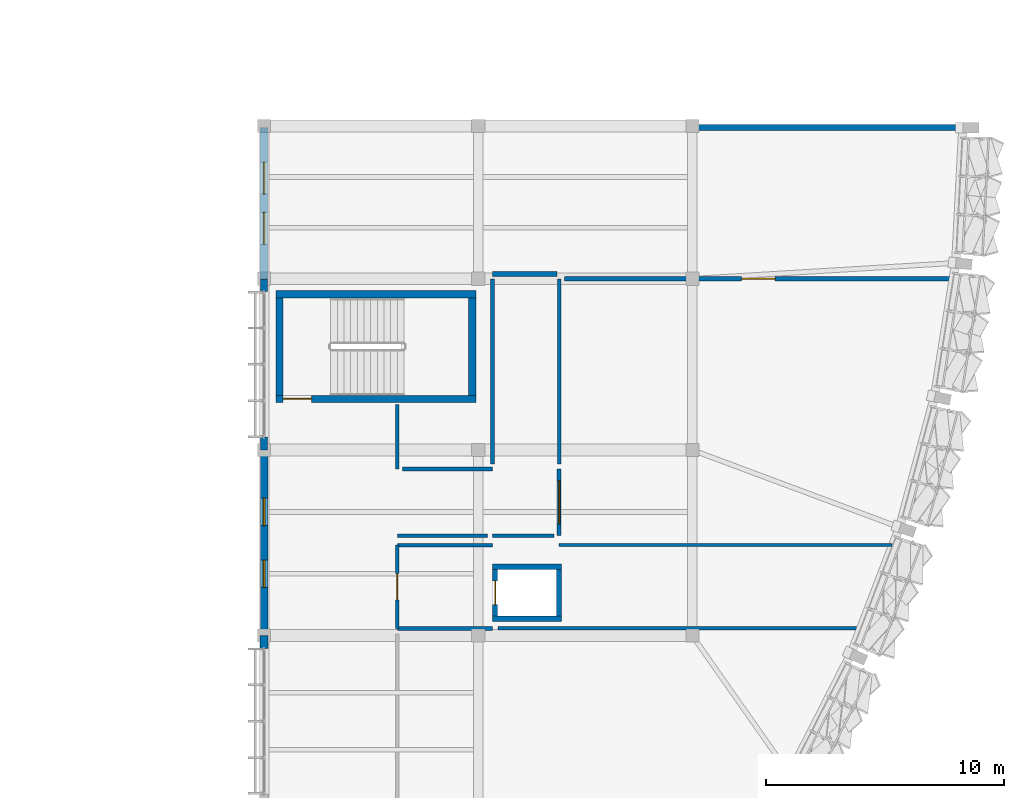
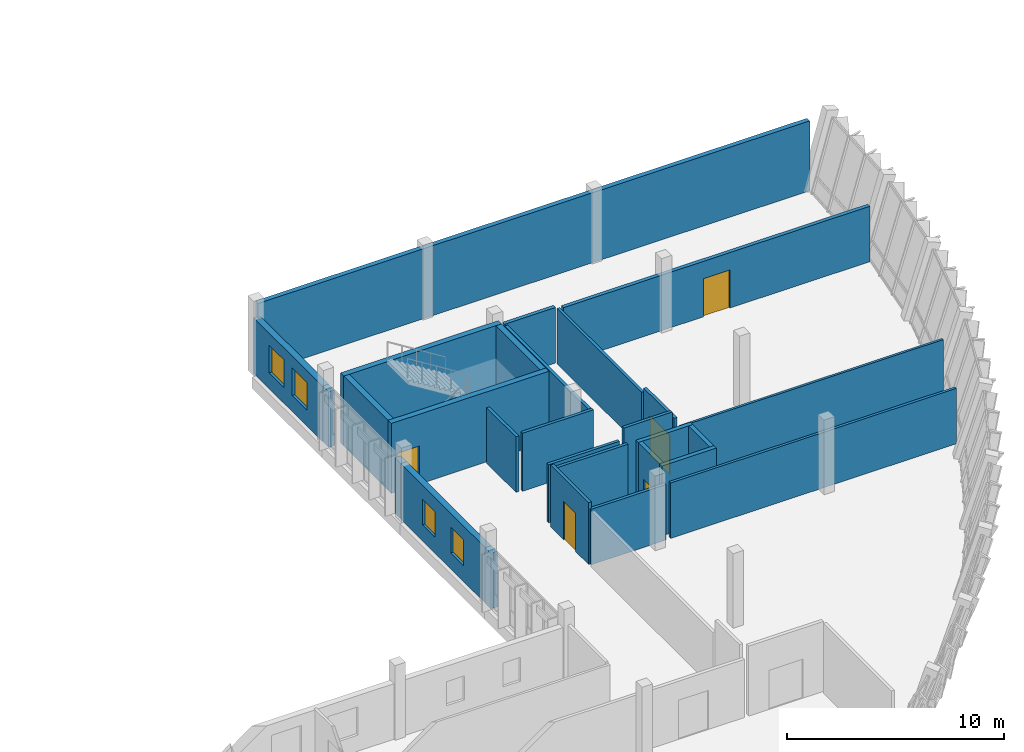
# One storey, part 88 of 94: 28 walls, 5 doors, 4 windows, 9 openings.
"""IFC4 building model written with IfcOpenShell, lengths in metres."""

from ifc_helpers import new_model, si_unit, direction, frame, frame_2d, origin, place, context, subcontext, project, spatial, rectangle, extrude, material, layer, layer_set, type_object, element, fill, save


model = new_model("IFC4")

# Units and contexts
model_context = context("Model", 3, precision=1e-05, world=origin(), true_north=direction((0.0, 1.0)))
body_context = subcontext(model_context, "Body", "Model", "MODEL_VIEW")
ifc_project = project(units=[si_unit("LENGTHUNIT", "METRE"), si_unit("AREAUNIT", "SQUARE_METRE"), si_unit("VOLUMEUNIT", "CUBIC_METRE"), si_unit("PLANEANGLEUNIT", "RADIAN"), si_unit("MASSUNIT", "GRAM", prefix="KILO")], contexts=[model_context])

# Site, building, storey
site_placement = place(None, origin())
site = spatial("IfcSite", under=ifc_project, at=site_placement, CompositionType="ELEMENT")
building_placement = place(site_placement, origin())
building = spatial("IfcBuilding", under=site, at=building_placement, Name="Chiffa Square Polytechnic", CompositionType="ELEMENT")
storey_placement = place(building_placement, frame((0.0, 0.0, 18.0)))
storey = spatial("IfcBuildingStorey", under=building, at=storey_placement, Name="L04", CompositionType="ELEMENT", Elevation=18.0)

# Wall, opening, door
ifc_material_1 = material(Name="Concrete C40/50", Category="concrete")
ifc_layer_1 = layer(ifc_material_1, 0.300048828125, Name="Concrete C40/50")
ifc_layer_set_1 = layer_set([ifc_layer_1], Name="Concrete C40/50")
wall_type_1 = type_object("IfcWallType", Name="WL-CORE-300", PredefinedType="SHEAR", material=ifc_layer_set_1)
wall_1_placement = place(storey_placement, frame((148.699951171875, 45.949951171875, 0.0), z_axis=(0.0, 0.0, 1.0), x_axis=(1.0, 0.0, 0.0)))
wall_1 = element("IfcWall", 1, at=wall_1_placement, inside=storey, type_object=wall_type_1, Name="Core or enclosure wall WC-CORE-V1B-L04-SOUTH", PredefinedType="SHEAR", context=body_context, shape_type="SweptSolid", body=[
    extrude(rectangle(XDim=8.400146484375, YDim=0.300048828125, at=frame_2d((4.2001953125, 0.0))), origin(), (0.0, 0.0, 1.0), 3.93994140625),
])
opening_1_placement = place(wall_1_placement, frame((0.300048828125, 0.0, 0.0)))
opening_1 = element("IfcOpeningElement", 2, at=opening_1_placement, cuts=wall_1, Name="Opening DS-L04-014", PredefinedType="OPENING", context=body_context, shape_type="SweptSolid", body=[
    extrude(rectangle(XDim=1.199951171875, YDim=2.14990234375, at=frame_2d((0.60009765625, 1.074951171875))), frame((0.0, 0.16015625, 0.0), z_axis=(0.0, -1.0, 0.0), x_axis=(1.0, 0.0, 0.0)), (0.0, 0.0, 1.0), 0.320068359375),
])
ifc_material_2 = material(Name="Fire-rated painted steel leaf", Category="steel")
door_type_1 = type_object("IfcDoorType", Name="DR-STAIR-1200", OperationType="NOTDEFINED", PredefinedType="DOOR", material=ifc_material_2)
door_1_placement = place(opening_1_placement, origin())
door_1 = element("IfcDoor", 3, at=door_1_placement, inside=storey, type_object=door_type_1, Name="Enclosure door DS-L04-014", OperationType="SINGLE_SWING_RIGHT", OverallHeight=2.14990234375, OverallWidth=1.199951171875, PredefinedType="DOOR", context=body_context, shape_type="SweptSolid", body=[
    extrude(rectangle(XDim=1.199951171875, YDim=2.14990234375, at=frame_2d((0.60009765625, 1.074951171875))), frame((0.0, 0.02490234375, 0.0), z_axis=(0.0, -1.0, 0.0), x_axis=(1.0, 0.0, 0.0)), (0.0, 0.0, 1.0), 0.050048828125),
])
fill(opening_1, door_1)

# Walls
wall_2_placement = place(storey_placement, frame((148.699951171875, 50.35009765625, 0.0), z_axis=(0.0, 0.0, 1.0), x_axis=(1.0, 0.0, 0.0)))
element("IfcWall", 4, at=wall_2_placement, inside=storey, type_object=wall_type_1, Name="Core or enclosure wall WC-CORE-V1B-L04-NORTH", PredefinedType="SHEAR", context=body_context, shape_type="SweptSolid", body=[
    extrude(rectangle(XDim=8.400146484375, YDim=0.300048828125, at=frame_2d((4.2001953125, 0.0))), origin(), (0.0, 0.0, 1.0), 3.93994140625),
])
for number, where, z_axis, x_axis, name in (
    (5, (148.85009765625, 46.10009765625, 0.0), (0.0, 0.0, 1.0), (0.0, 1.0, 0.0), "Core or enclosure wall WC-CORE-V1B-L04-WEST"),
    (6, (156.949951171875, 46.10009765625, 0.0), (0.0, 0.0, 1.0), (0.0, 1.0, 0.0), "Core or enclosure wall WC-CORE-V1B-L04-EAST"),
):
    element("IfcWall", number, at=place(storey_placement, frame(where, z_axis=z_axis, x_axis=x_axis)), inside=storey, type_object=wall_type_1, Name=name, PredefinedType="SHEAR", context=body_context, shape_type="SweptSolid", body=[
        extrude(rectangle(XDim=4.099853515625, YDim=0.300048828125, at=frame_2d((2.0498046875, 0.0))), origin(), (0.0, 0.0, 1.0), 3.93994140625),
    ])
ifc_material_3 = material(Name="Precast concrete C40/50", Category="concrete")
ifc_layer_2 = layer(ifc_material_3, 0.300048828125, Name="Precast concrete C40/50")
ifc_layer_set_2 = layer_set([ifc_layer_2], Name="Precast concrete C40/50")
wall_type_2 = type_object("IfcWallType", Name="WL-EXT-PC300", PredefinedType="SOLIDWALL", material=ifc_layer_set_2)
for number, where, z_axis, x_axis, name in (
    (7, (148.199951171875, 51.0, 0.0), (0.0, 0.0, 1.0), (0.0, -1.0, 0.0), "Facade column pier V1-L04-0061L"),
    (8, (148.199951171875, 44.340087890625, 0.0), (0.0, 0.0, 1.0), (0.0, -1.0, 0.0), "Facade column pier V1-L04-0061R"),
):
    element("IfcWall", number, at=place(storey_placement, frame(where, z_axis=z_axis, x_axis=x_axis)), inside=storey, type_object=wall_type_2, Name=name, PredefinedType="SOLIDWALL", context=body_context, shape_type="SweptSolid", body=[
        extrude(rectangle(XDim=0.5400390625, YDim=0.300048828125, at=frame_2d((0.27001953125, 0.0))), origin(), (0.0, 0.0, 1.0), 3.125),
    ])

# Wall, openings, windows
ifc_layer_3 = layer(ifc_material_3, 0.320068359375, Name="Precast concrete C40/50")
ifc_layer_set_3 = layer_set([ifc_layer_3], Name="Precast concrete C40/50")
wall_type_3 = type_object("IfcWallType", Name="WL-EXT-PC320", PredefinedType="SOLIDWALL", material=ifc_layer_set_3)
wall_3_placement = place(storey_placement, frame((148.199951171875, 43.800048828125, 0.0), z_axis=(0.0, 0.0, 1.0), x_axis=(0.0, -1.0, 0.0)))
wall_3 = element("IfcWall", 9, at=wall_3_placement, inside=storey, type_object=wall_type_3, Name="Exterior wall WE-V1-L04-0062", PredefinedType="SOLIDWALL", context=body_context, shape_type="SweptSolid", body=[
    extrude(rectangle(XDim=7.800048828125, YDim=0.320068359375, at=frame_2d((3.89990234375, 0.0))), origin(), (0.0, 0.0, 1.0), 3.125),
])
opening_2_placement = place(wall_3_placement, frame((2.02490234375, 0.0, 0.89990234375)))
opening_2 = element("IfcOpeningElement", 10, at=opening_2_placement, cuts=wall_3, Name="Opening W-19", PredefinedType="OPENING", context=body_context, shape_type="SweptSolid", body=[
    extrude(rectangle(XDim=1.14990234375, YDim=1.449951171875, at=frame_2d((0.574951171875, 0.72509765625))), frame((0.0, 0.169921875, 0.0), z_axis=(0.0, -1.0, 0.0), x_axis=(1.0, 0.0, 0.0)), (0.0, 0.0, 1.0), 0.340087890625),
])
opening_3_placement = place(wall_3_placement, frame((4.625, 0.0, 0.89990234375)))
opening_3 = element("IfcOpeningElement", 11, at=opening_3_placement, cuts=wall_3, Name="Opening W-19", PredefinedType="OPENING", context=body_context, shape_type="SweptSolid", body=[
    extrude(rectangle(XDim=1.14990234375, YDim=1.449951171875, at=frame_2d((0.574951171875, 0.72509765625))), frame((0.0, 0.169921875, 0.0), z_axis=(0.0, -1.0, 0.0), x_axis=(1.0, 0.0, 0.0)), (0.0, 0.0, 1.0), 0.340087890625),
])
ifc_material_4 = material(Name="Double glazing in thermally broken aluminium frame", Category="aluminium")
window_type_1 = type_object("IfcWindowType", Name="WIN-OFF-1150X1450", PartitioningType="DOUBLE_PANEL_VERTICAL", PredefinedType="WINDOW", material=ifc_material_4)
window_1_placement = place(opening_2_placement, origin())
window_1 = element("IfcWindow", 12, at=window_1_placement, inside=storey, type_object=window_type_1, Name="Facade window WN-L04-0060", OverallHeight=1.449951171875, OverallWidth=1.14990234375, PartitioningType="DOUBLE_PANEL_VERTICAL", PredefinedType="WINDOW", context=body_context, shape_type="SweptSolid", body=[
    extrude(rectangle(XDim=1.14990234375, YDim=1.449951171875, at=frame_2d((0.574951171875, 0.72509765625))), frame((0.0, 0.030029296875, 0.0), z_axis=(0.0, -1.0, 0.0), x_axis=(1.0, 0.0, 0.0)), (0.0, 0.0, 1.0), 0.06005859375),
])
fill(opening_2, window_1)
window_2_placement = place(opening_3_placement, origin())
window_2 = element("IfcWindow", 13, at=window_2_placement, inside=storey, type_object=window_type_1, Name="Facade window WN-L04-0061", OverallHeight=1.449951171875, OverallWidth=1.14990234375, PartitioningType="DOUBLE_PANEL_VERTICAL", PredefinedType="WINDOW", context=body_context, shape_type="SweptSolid", body=[
    extrude(rectangle(XDim=1.14990234375, YDim=1.449951171875, at=frame_2d((0.574951171875, 0.72509765625))), frame((0.0, 0.030029296875, 0.0), z_axis=(0.0, -1.0, 0.0), x_axis=(1.0, 0.0, 0.0)), (0.0, 0.0, 1.0), 0.06005859375),
])
fill(opening_3, window_2)

ifc_layer_4 = layer(ifc_material_3, 0.340087890625, Name="Precast concrete C40/50")
ifc_layer_set_4 = layer_set([ifc_layer_4], Name="Precast concrete C40/50")
wall_type_4 = type_object("IfcWallType", Name="WL-EXT-PC340", PredefinedType="SOLIDWALL", material=ifc_layer_set_4)
wall_4_placement = place(storey_placement, frame((148.199951171875, 57.35009765625, 0.0), z_axis=(0.0, 0.0, 1.0), x_axis=(0.0, -1.0, 0.0)))
wall_4 = element("IfcWall", 14, at=wall_4_placement, inside=storey, type_object=wall_type_4, Name="Exterior wall WE-V1-L04-0060", PredefinedType="SOLIDWALL", context=body_context, shape_type="SweptSolid", body=[
    extrude(rectangle(XDim=6.35009765625, YDim=0.340087890625, at=frame_2d((3.175048828125, 0.0))), origin(), (0.0, 0.0, 1.0), 3.125),
])
opening_4_placement = place(wall_4_placement, frame((1.44189453125, 0.0, 0.89990234375)))
opening_4 = element("IfcOpeningElement", 15, at=opening_4_placement, cuts=wall_4, Name="Opening W-17", PredefinedType="OPENING", context=body_context, shape_type="SweptSolid", body=[
    extrude(rectangle(XDim=1.35009765625, YDim=1.550048828125, at=frame_2d((0.675048828125, 0.77490234375))), frame((0.0, 0.18017578125, 0.0), z_axis=(0.0, -1.0, 0.0), x_axis=(1.0, 0.0, 0.0)), (0.0, 0.0, 1.0), 0.360107421875),
])
opening_5_placement = place(wall_4_placement, frame((3.55810546875, 0.0, 0.89990234375)))
opening_5 = element("IfcOpeningElement", 16, at=opening_5_placement, cuts=wall_4, Name="Opening W-17", PredefinedType="OPENING", context=body_context, shape_type="SweptSolid", body=[
    extrude(rectangle(XDim=1.35009765625, YDim=1.550048828125, at=frame_2d((0.675048828125, 0.77490234375))), frame((0.0, 0.18017578125, 0.0), z_axis=(0.0, -1.0, 0.0), x_axis=(1.0, 0.0, 0.0)), (0.0, 0.0, 1.0), 0.360107421875),
])
window_type_2 = type_object("IfcWindowType", Name="WIN-OFF-1350X1550", PartitioningType="DOUBLE_PANEL_VERTICAL", PredefinedType="WINDOW", material=ifc_material_4)
window_3_placement = place(opening_4_placement, origin())
window_3 = element("IfcWindow", 17, at=window_3_placement, inside=storey, type_object=window_type_2, Name="Facade window WN-L04-0058", OverallHeight=1.550048828125, OverallWidth=1.35009765625, PartitioningType="DOUBLE_PANEL_VERTICAL", PredefinedType="WINDOW", context=body_context, shape_type="SweptSolid", body=[
    extrude(rectangle(XDim=1.35009765625, YDim=1.550048828125, at=frame_2d((0.675048828125, 0.77490234375))), frame((0.0, 0.030029296875, 0.0), z_axis=(0.0, -1.0, 0.0), x_axis=(1.0, 0.0, 0.0)), (0.0, 0.0, 1.0), 0.06005859375),
])
fill(opening_4, window_3)
window_4_placement = place(opening_5_placement, origin())
window_4 = element("IfcWindow", 18, at=window_4_placement, inside=storey, type_object=window_type_2, Name="Facade window WN-L04-0059", OverallHeight=1.550048828125, OverallWidth=1.35009765625, PartitioningType="DOUBLE_PANEL_VERTICAL", PredefinedType="WINDOW", context=body_context, shape_type="SweptSolid", body=[
    extrude(rectangle(XDim=1.35009765625, YDim=1.550048828125, at=frame_2d((0.675048828125, 0.77490234375))), frame((0.0, 0.030029296875, 0.0), z_axis=(0.0, -1.0, 0.0), x_axis=(1.0, 0.0, 0.0)), (0.0, 0.0, 1.0), 0.06005859375),
])
fill(opening_5, window_4)

# Walls
wall_5_placement = place(storey_placement, frame((148.199951171875, 36.0, 0.0), z_axis=(0.0, 0.0, 1.0), x_axis=(0.0, -1.0, 0.0)))
element("IfcWall", 19, at=wall_5_placement, inside=storey, type_object=wall_type_4, Name="Facade column pier V1-L04-0063L", PredefinedType="SOLIDWALL", context=body_context, shape_type="SweptSolid", body=[
    extrude(rectangle(XDim=0.5400390625, YDim=0.340087890625, at=frame_2d((0.27001953125, 0.0))), origin(), (0.0, 0.0, 1.0), 3.125),
])
ifc_material_5 = material(Name="Gypsum board on steel stud", Category="steel")
ifc_layer_5 = layer(ifc_material_5, 0.125, Name="Gypsum board on steel stud")
ifc_layer_set_5 = layer_set([ifc_layer_5], Name="Gypsum board on steel stud")
wall_type_5 = type_object("IfcWallType", Name="WL-PART-125", PredefinedType="PARTITIONING", material=ifc_layer_set_5)
wall_6_placement = place(storey_placement, frame((160.60009765625, 39.800048828125, 0.0), z_axis=(0.0, 0.0, 1.0), x_axis=(1.0, 0.0, 0.0)))
element("IfcWall", 20, at=wall_6_placement, inside=storey, type_object=wall_type_5, Name="Interior partition WP-V1-L04-0632", PredefinedType="PARTITIONING", context=body_context, shape_type="SweptSolid", body=[
    extrude(rectangle(XDim=13.995849609375, YDim=0.125, at=frame_2d((6.998046875, 0.0))), origin(), (0.0, 0.0, 1.0), 3.27490234375),
])
ifc_layer_6 = layer(ifc_material_5, 0.14501953125, Name="Gypsum board on steel stud")
ifc_layer_set_6 = layer_set([ifc_layer_6], Name="Gypsum board on steel stud")
wall_type_6 = type_object("IfcWallType", Name="WL-PART-145", PredefinedType="PARTITIONING", material=ifc_layer_set_6)
wall_7_placement = place(storey_placement, frame((160.60009765625, 43.219970703125, 0.0), z_axis=(0.0, 0.0, 1.0), x_axis=(0.0, 1.0, 0.0)))
element("IfcWall", 21, at=wall_7_placement, inside=storey, type_object=wall_type_6, Name="Interior partition WP-V1-L04-0630", PredefinedType="PARTITIONING", context=body_context, shape_type="SweptSolid", body=[
    extrude(rectangle(XDim=7.780029296875, YDim=0.14501953125, at=frame_2d((3.89013671875, 0.0))), origin(), (0.0, 0.0, 1.0), 3.125),
])
wall_8_placement = place(storey_placement, frame((158.0400390625, 36.300048828125, 0.0), z_axis=(0.0, 0.0, 1.0), x_axis=(1.0, 0.0, 0.0)))
element("IfcWall", 22, at=wall_8_placement, inside=storey, type_object=wall_type_6, Name="Interior partition WP-V1-L04-0642", PredefinedType="PARTITIONING", context=body_context, shape_type="SweptSolid", body=[
    extrude(rectangle(XDim=15.222900390625, YDim=0.14501953125, at=frame_2d((7.611328125, 0.0))), origin(), (0.0, 0.0, 1.0), 3.125),
])

# Wall, opening, door
ifc_material_6 = material(Name="Autoclaved aerated concrete blockwork", Category="masonry")
ifc_layer_7 = layer(ifc_material_6, 0.199951171875, Name="Autoclaved aerated concrete blockwork")
ifc_layer_set_7 = layer_set([ifc_layer_7], Name="Autoclaved aerated concrete blockwork")
wall_type_7 = type_object("IfcWallType", Name="WL-PART-EI120-200", PredefinedType="PARTITIONING", material=ifc_layer_set_7)
wall_9_placement = place(storey_placement, frame((160.820068359375, 51.0, 0.0), z_axis=(0.0, 0.0, 1.0), x_axis=(1.0, 0.0, 0.0)))
wall_9 = element("IfcWall", 23, at=wall_9_placement, inside=storey, type_object=wall_type_7, Name="Interior partition WP-V1-L04-0631", PredefinedType="PARTITIONING", context=body_context, shape_type="SweptSolid", body=[
    extrude(rectangle(XDim=16.31591796875, YDim=0.199951171875, at=frame_2d((8.157958984375, 0.0))), origin(), (0.0, 0.0, 1.0), 3.125),
])
opening_6_placement = place(wall_9_placement, frame((7.4580078125, 0.0, 0.0)))
opening_6 = element("IfcOpeningElement", 24, at=opening_6_placement, cuts=wall_9, Name="Opening DI-L04-225", PredefinedType="OPENING", context=body_context, shape_type="SweptSolid", body=[
    extrude(rectangle(XDim=1.39990234375, YDim=2.14990234375, at=frame_2d((0.699951171875, 1.074951171875))), frame((0.0, 0.10986328125, 0.0), z_axis=(0.0, -1.0, 0.0), x_axis=(1.0, 0.0, 0.0)), (0.0, 0.0, 1.0), 0.219970703125),
])
ifc_material_7 = material(Name="Louvred painted steel plant door", Category="steel")
door_type_2 = type_object("IfcDoorType", Name="DR-PLANT-1400", OperationType="DOUBLE_DOOR_SINGLE_SWING", PredefinedType="DOOR", material=ifc_material_7)
door_2_placement = place(opening_6_placement, origin())
door_2 = element("IfcDoor", 25, at=door_2_placement, inside=storey, type_object=door_type_2, Name="Interior room door DI-L04-225", OperationType="DOUBLE_DOOR_SINGLE_SWING", OverallHeight=2.14990234375, OverallWidth=1.39990234375, PredefinedType="DOOR", context=body_context, shape_type="SweptSolid", body=[
    extrude(rectangle(XDim=1.39990234375, YDim=2.14990234375, at=frame_2d((0.699951171875, 1.074951171875))), frame((0.0, 0.02490234375, 0.0), z_axis=(0.0, -1.0, 0.0), x_axis=(1.0, 0.0, 0.0)), (0.0, 0.0, 1.0), 0.050048828125),
])
fill(opening_6, door_2)

# Walls
wall_10_placement = place(storey_placement, frame((157.800048828125, 51.199951171875, 0.0), z_axis=(0.0, 0.0, 1.0), x_axis=(1.0, 0.0, 0.0)))
element("IfcWall", 26, at=wall_10_placement, inside=storey, type_object=wall_type_7, Name="Interior partition WP-V1-L04-0633", PredefinedType="PARTITIONING", context=body_context, shape_type="SweptSolid", body=[
    extrude(rectangle(XDim=2.708984375, YDim=0.199951171875, at=frame_2d((1.3544921875, 0.0))), origin(), (0.0, 0.0, 1.0), 3.125),
])
ifc_material_8 = material(Name="Gypsum board on acoustic steel stud", Category="steel")
ifc_layer_8 = layer(ifc_material_8, 0.159912109375, Name="Gypsum board on acoustic steel stud")
ifc_layer_set_8 = layer_set([ifc_layer_8], Name="Gypsum board on acoustic steel stud")
wall_type_8 = type_object("IfcWallType", Name="WL-PART-EI60-160", PredefinedType="PARTITIONING", material=ifc_layer_set_8)
wall_11_placement = place(storey_placement, frame((153.800048828125, 36.300048828125, 0.0), z_axis=(0.0, 0.0, 1.0), x_axis=(1.0, 0.0, 0.0)))
element("IfcWall", 27, at=wall_11_placement, inside=storey, type_object=wall_type_8, Name="Lift lobby rated enclosure WP-LOB-LP-V1B-L04-SOUTH", PredefinedType="PARTITIONING", context=body_context, shape_type="SweptSolid", body=[
    extrude(rectangle(XDim=4.0, YDim=0.159912109375, at=frame_2d((2.0, 0.0))), origin(), (0.0, 0.0, 1.0), 3.125),
])
wall_12_placement = place(storey_placement, frame((153.800048828125, 39.800048828125, 0.0), z_axis=(0.0, 0.0, 1.0), x_axis=(1.0, 0.0, 0.0)))
element("IfcWall", 28, at=wall_12_placement, inside=storey, type_object=wall_type_8, Name="Lift lobby rated enclosure WP-LOB-LP-V1B-L04-NORTH", PredefinedType="PARTITIONING", context=body_context, shape_type="SweptSolid", body=[
    extrude(rectangle(XDim=4.0, YDim=0.159912109375, at=frame_2d((2.0, 0.0))), origin(), (0.0, 0.0, 1.0), 3.27490234375),
])

# Wall, opening, door
wall_13_placement = place(storey_placement, frame((153.800048828125, 36.300048828125, 0.0), z_axis=(0.0, 0.0, 1.0), x_axis=(0.0, 1.0, 0.0)))
wall_13 = element("IfcWall", 29, at=wall_13_placement, inside=storey, type_object=wall_type_8, Name="Lift lobby rated enclosure WP-LOB-LP-V1B-L04-WEST", PredefinedType="PARTITIONING", context=body_context, shape_type="SweptSolid", body=[
    extrude(rectangle(XDim=3.5, YDim=0.159912109375, at=frame_2d((1.75, 0.0))), origin(), (0.0, 0.0, 1.0), 3.485107421875),
])
opening_7_placement = place(wall_13_placement, frame((1.199951171875, 0.0, 0.0)))
opening_7 = element("IfcOpeningElement", 30, at=opening_7_placement, cuts=wall_13, Name="Opening DI-L04-022", PredefinedType="OPENING", context=body_context, shape_type="SweptSolid", body=[
    extrude(rectangle(XDim=1.10009765625, YDim=2.14990234375, at=frame_2d((0.550048828125, 1.074951171875))), frame((0.0, 0.08984375, 0.0), z_axis=(0.0, -1.0, 0.0), x_axis=(1.0, 0.0, 0.0)), (0.0, 0.0, 1.0), 0.179931640625),
])
ifc_material_9 = material(Name="Solid core ash veneer door")
door_type_3 = type_object("IfcDoorType", Name="DR-INT-1100", OperationType="NOTDEFINED", PredefinedType="DOOR", material=ifc_material_9)
door_3_placement = place(opening_7_placement, origin())
door_3 = element("IfcDoor", 31, at=door_3_placement, inside=storey, type_object=door_type_3, Name="Lift lobby fire door DI-L04-022", OperationType="SINGLE_SWING_LEFT", OverallHeight=2.14990234375, OverallWidth=1.10009765625, PredefinedType="DOOR", context=body_context, shape_type="SweptSolid", body=[
    extrude(rectangle(XDim=1.10009765625, YDim=2.14990234375, at=frame_2d((0.550048828125, 1.074951171875))), frame((0.0, 0.02490234375, 0.0), z_axis=(0.0, -1.0, 0.0), x_axis=(1.0, 0.0, 0.0)), (0.0, 0.0, 1.0), 0.050048828125),
])
fill(opening_7, door_3)

wall_14_placement = place(storey_placement, frame((160.60009765625, 40.199951171875, 0.0), z_axis=(0.0, 0.0, 1.0), x_axis=(0.0, 1.0, 0.0)))
wall_14 = element("IfcWall", 32, at=wall_14_placement, inside=storey, type_object=wall_type_8, Name="Interior partition WP-V1-L04-0629", PredefinedType="PARTITIONING", context=body_context, shape_type="SweptSolid", body=[
    extrude(rectangle(XDim=2.800048828125, YDim=0.159912109375, at=frame_2d((1.39990234375, 0.0))), origin(), (0.0, 0.0, 1.0), 3.485107421875),
])
opening_8_placement = place(wall_14_placement, frame((0.5, 0.0, 0.0)))
opening_8 = element("IfcOpeningElement", 33, at=opening_8_placement, cuts=wall_14, Name="Opening DI-L04-224", PredefinedType="OPENING", context=body_context, shape_type="SweptSolid", body=[
    extrude(rectangle(XDim=1.800048828125, YDim=2.199951171875, at=frame_2d((0.89990234375, 1.10009765625))), frame((0.0, 0.08984375, 0.0), z_axis=(0.0, -1.0, 0.0), x_axis=(1.0, 0.0, 0.0)), (0.0, 0.0, 1.0), 0.179931640625),
])
ifc_material_10 = material(Name="Solid oak fire door pair")
door_type_4 = type_object("IfcDoorType", Name="DR-CORR-DBL-1800", OperationType="DOUBLE_DOOR_SINGLE_SWING", PredefinedType="DOOR", material=ifc_material_10)
door_4_placement = place(opening_8_placement, origin())
door_4 = element("IfcDoor", 34, at=door_4_placement, inside=storey, type_object=door_type_4, Name="Interior room door DI-L04-224", OperationType="DOUBLE_DOOR_SINGLE_SWING", OverallHeight=2.199951171875, OverallWidth=1.800048828125, PredefinedType="DOOR", context=body_context, shape_type="SweptSolid", body=[
    extrude(rectangle(XDim=1.800048828125, YDim=2.199951171875, at=frame_2d((0.89990234375, 1.10009765625))), frame((0.0, 0.02490234375, 0.0), z_axis=(0.0, -1.0, 0.0), x_axis=(1.0, 0.0, 0.0)), (0.0, 0.0, 1.0), 0.050048828125),
])
fill(opening_8, door_4)

# Walls
wall_15_placement = place(storey_placement, frame((153.800048828125, 43.0, 0.0), z_axis=(0.0, 0.0, 1.0), x_axis=(0.0, 1.0, 0.0)))
element("IfcWall", 35, at=wall_15_placement, inside=storey, type_object=wall_type_8, Name="Interior partition WP-V1-L04-0660", PredefinedType="PARTITIONING", context=body_context, shape_type="SweptSolid", body=[
    extrude(rectangle(XDim=2.7099609375, YDim=0.159912109375, at=frame_2d((1.35498046875, 0.0))), origin(), (0.0, 0.0, 1.0), 3.125),
])
wall_16_placement = place(storey_placement, frame((154.02001953125, 43.0, 0.0), z_axis=(0.0, 0.0, 1.0), x_axis=(1.0, 0.0, 0.0)))
element("IfcWall", 36, at=wall_16_placement, inside=storey, type_object=wall_type_8, Name="Interior partition WP-V1-L04-0661", PredefinedType="PARTITIONING", context=body_context, shape_type="SweptSolid", body=[
    extrude(rectangle(XDim=3.780029296875, YDim=0.159912109375, at=frame_2d((1.89013671875, 0.0))), origin(), (0.0, 0.0, 1.0), 3.27490234375),
])
wall_17_placement = place(storey_placement, frame((157.800048828125, 43.219970703125, 0.0), z_axis=(0.0, 0.0, 1.0), x_axis=(0.0, 1.0, 0.0)))
element("IfcWall", 37, at=wall_17_placement, inside=storey, type_object=wall_type_8, Name="Interior partition WP-V1-L04-0662", PredefinedType="PARTITIONING", context=body_context, shape_type="SweptSolid", body=[
    extrude(rectangle(XDim=7.760009765625, YDim=0.159912109375, at=frame_2d((3.8798828125, 0.0))), origin(), (0.0, 0.0, 1.0), 3.125),
])
wall_18_placement = place(storey_placement, frame((157.800048828125, 40.199951171875, 0.0), z_axis=(0.0, 0.0, 1.0), x_axis=(1.0, 0.0, 0.0)))
element("IfcWall", 38, at=wall_18_placement, inside=storey, type_object=wall_type_8, Name="Interior partition WP-V1-L04-0663", PredefinedType="PARTITIONING", context=body_context, shape_type="SweptSolid", body=[
    extrude(rectangle(XDim=2.579833984375, YDim=0.159912109375, at=frame_2d((1.2900390625, 0.0))), origin(), (0.0, 0.0, 1.0), 3.93994140625),
])
wall_19_placement = place(storey_placement, frame((153.800048828125, 40.199951171875, 0.0), z_axis=(0.0, 0.0, 1.0), x_axis=(1.0, 0.0, 0.0)))
element("IfcWall", 39, at=wall_19_placement, inside=storey, type_object=wall_type_8, Name="Interior partition WP-V1-L04-0664", PredefinedType="PARTITIONING", context=body_context, shape_type="SweptSolid", body=[
    extrude(rectangle(XDim=3.780029296875, YDim=0.159912109375, at=frame_2d((1.89013671875, 0.0))), origin(), (0.0, 0.0, 1.0), 3.27490234375),
])
ifc_material_11 = material(Name="Concrete C35/45", Category="concrete")
ifc_layer_9 = layer(ifc_material_11, 0.219970703125, Name="Concrete C35/45")
ifc_layer_set_9 = layer_set([ifc_layer_9], Name="Concrete C35/45")
wall_type_9 = type_object("IfcWallType", Name="WL-SHAFT-220", PredefinedType="SHEAR", material=ifc_layer_set_9)
for number, where, z_axis, x_axis, name in (
    (40, (157.800048828125, 36.7099609375, 0.0), (0.0, 0.0, 1.0), (1.0, 0.0, 0.0), "Core or enclosure wall WS-LP-V1B-L04-SOUTH"),
    (41, (157.800048828125, 38.889892578125, 0.0), (0.0, 0.0, 1.0), (1.0, 0.0, 0.0), "Core or enclosure wall WS-LP-V1B-L04-NORTH"),
):
    element("IfcWall", number, at=place(storey_placement, frame(where, z_axis=z_axis, x_axis=x_axis)), inside=storey, type_object=wall_type_9, Name=name, PredefinedType="SHEAR", context=body_context, shape_type="SweptSolid", body=[
        extrude(rectangle(XDim=2.89990234375, YDim=0.219970703125, at=frame_2d((1.449951171875, 0.0))), origin(), (0.0, 0.0, 1.0), 3.93994140625),
    ])

# Wall, opening, door
wall_20_placement = place(storey_placement, frame((157.909912109375, 36.820068359375, 0.0), z_axis=(0.0, 0.0, 1.0), x_axis=(0.0, 1.0, 0.0)))
wall_20 = element("IfcWall", 42, at=wall_20_placement, inside=storey, type_object=wall_type_9, Name="Core or enclosure wall WS-LP-V1B-L04-WEST", PredefinedType="SHEAR", context=body_context, shape_type="SweptSolid", body=[
    extrude(rectangle(XDim=1.9599609375, YDim=0.219970703125, at=frame_2d((0.97998046875, 0.0))), origin(), (0.0, 0.0, 1.0), 3.93994140625),
])
opening_9_placement = place(wall_20_placement, frame((0.47998046875, 0.0, 0.0)))
opening_9 = element("IfcOpeningElement", 43, at=opening_9_placement, cuts=wall_20, Name="Opening LD-LP-V1B-L04", PredefinedType="OPENING", context=body_context, shape_type="SweptSolid", body=[
    extrude(rectangle(XDim=1.0, YDim=2.14990234375, at=frame_2d((0.5, 1.074951171875))), frame((0.0, 0.1201171875, 0.0), z_axis=(0.0, -1.0, 0.0), x_axis=(1.0, 0.0, 0.0)), (0.0, 0.0, 1.0), 0.239990234375),
])
ifc_material_12 = material(Name="Brushed stainless steel sliding landing door", Category="steel")
door_type_5 = type_object("IfcDoorType", Name="DR-LIFT-1000", OperationType="SLIDING_TO_RIGHT", PredefinedType="DOOR", material=ifc_material_12)
door_5_placement = place(opening_9_placement, origin())
door_5 = element("IfcDoor", 44, at=door_5_placement, inside=storey, type_object=door_type_5, Name="Enclosure door LD-LP-V1B-L04", OperationType="SLIDING_TO_LEFT", OverallHeight=2.14990234375, OverallWidth=1.0, PredefinedType="DOOR", context=body_context, shape_type="SweptSolid", body=[
    extrude(rectangle(XDim=1.0, YDim=2.14990234375, at=frame_2d((0.5, 1.074951171875))), frame((0.0, 0.02490234375, 0.0), z_axis=(0.0, -1.0, 0.0), x_axis=(1.0, 0.0, 0.0)), (0.0, 0.0, 1.0), 0.050048828125),
])
fill(opening_9, door_5)

# Walls
wall_21_placement = place(storey_placement, frame((160.590087890625, 36.820068359375, 0.0), z_axis=(0.0, 0.0, 1.0), x_axis=(0.0, 1.0, 0.0)))
element("IfcWall", 45, at=wall_21_placement, inside=storey, type_object=wall_type_9, Name="Core or enclosure wall WS-LP-V1B-L04-EAST", PredefinedType="SHEAR", context=body_context, shape_type="SweptSolid", body=[
    extrude(rectangle(XDim=1.9599609375, YDim=0.219970703125, at=frame_2d((0.97998046875, 0.0))), origin(), (0.0, 0.0, 1.0), 3.93994140625),
])
ifc_layer_10 = layer(ifc_material_11, 0.25, Name="Concrete C35/45")
ifc_layer_set_10 = layer_set([ifc_layer_10], Name="Concrete C35/45")
wall_type_10 = type_object("IfcWallType", Name="WL-SJ-250", PredefinedType="SHEAR", material=ifc_layer_set_10)
wall_22_placement = place(storey_placement, frame((177.576904296875, 57.35009765625, 0.0), z_axis=(0.0, 0.0, 1.0), x_axis=(-1.0, 0.0, 0.0)))
element("IfcWall", 46, at=wall_22_placement, inside=storey, type_object=wall_type_10, Name="Seismic-joint fire wall WE-V1-L04-0059", PredefinedType="SHEAR", context=body_context, shape_type="SweptSolid", body=[
    extrude(rectangle(XDim=29.376953125, YDim=0.25, at=frame_2d((14.6884765625, 0.0))), origin(), (0.0, 0.0, 1.0), 3.93994140625),
])

save(model, "model.ifc")
